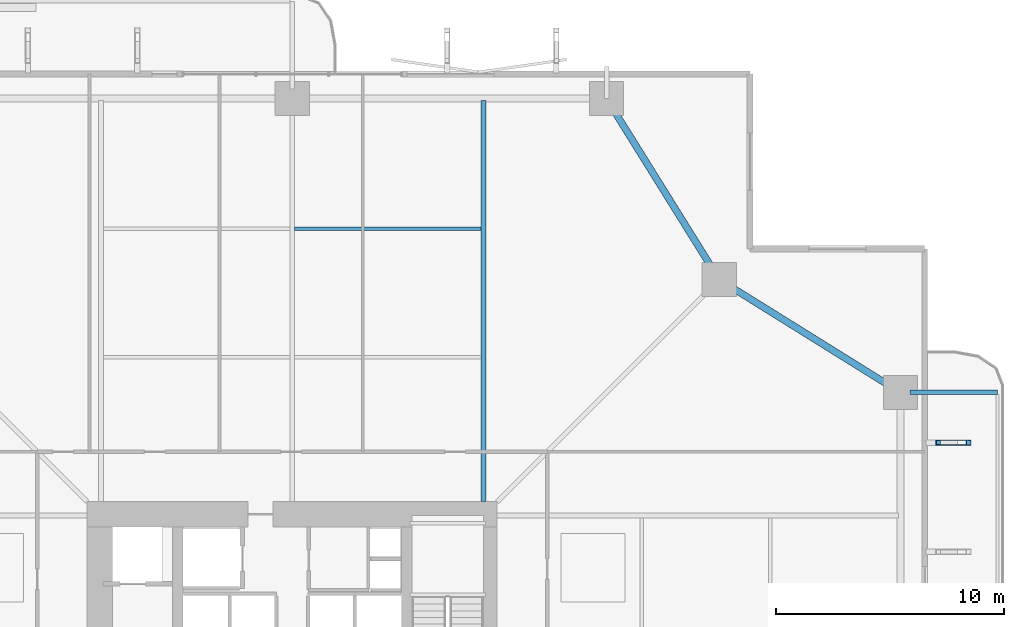
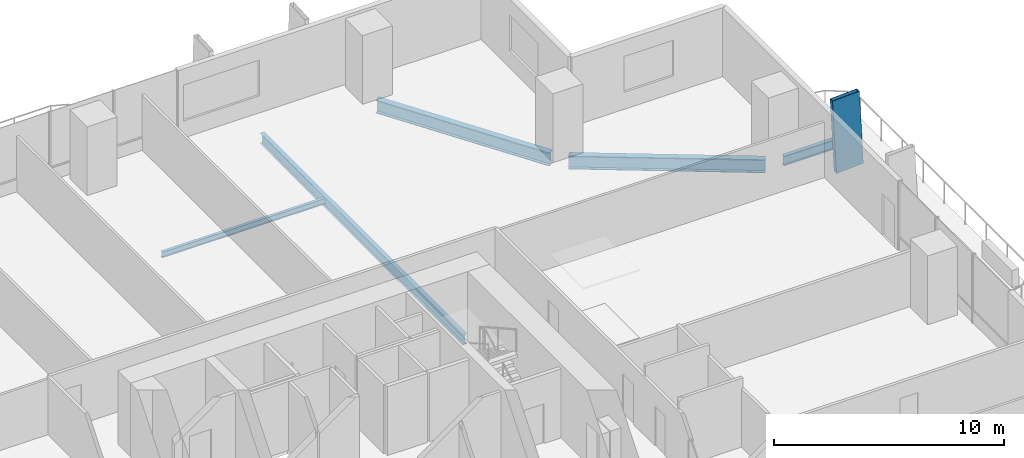
# One storey, part 14 of 24: 5 beams, 1 member.
"""IFC4 building model written with IfcOpenShell, lengths in metres."""

from ifc_helpers import new_model, si_unit, direction, frame, origin, origin_2d, place, context, subcontext, project, spatial, hollow_rectangle, i_section, extrude, material, material_profile, profile_set, type_object, element, save


model = new_model("IFC4")

# Units and contexts
model_context = context("Model", 3, precision=1e-05, world=origin(), true_north=direction((0.0, 1.0)))
body_context = subcontext(model_context, "Body", "Model", "MODEL_VIEW")
ifc_project = project(units=[si_unit("LENGTHUNIT", "METRE"), si_unit("AREAUNIT", "SQUARE_METRE"), si_unit("VOLUMEUNIT", "CUBIC_METRE"), si_unit("PLANEANGLEUNIT", "RADIAN"), si_unit("MASSUNIT", "GRAM", prefix="KILO")], contexts=[model_context])

# Site, building, storey
site_placement = place(None, origin())
site = spatial("IfcSite", under=ifc_project, at=site_placement, CompositionType="ELEMENT")
building_placement = place(site_placement, origin())
building = spatial("IfcBuilding", under=site, at=building_placement, Name="Belovzor Exchange Tower", CompositionType="ELEMENT")
storey_placement = place(building_placement, frame((0.0, 0.0, 72.89990234375)))
storey = spatial("IfcBuildingStorey", under=building, at=storey_placement, Name="L17", CompositionType="ELEMENT", Elevation=72.89990234375)

# Member
ifc_material_1 = material(Name="Extruded Architectural Terracotta on Steel S355 Carrier", Category="masonry")
ifc_material_profile_1 = material_profile(ifc_material_1, hollow_rectangle(XDim=0.219970703125, YDim=1.35009765625, WallThickness=0.013916015625, at=origin_2d()))
ifc_profile_set_1 = profile_set([ifc_material_profile_1], Name="Extruded Architectural Terracotta on Steel S355 Carrier")
member_type = type_object("IfcMemberType", Name="Base Arc Sweeping Terracotta Pylon Fin 1450", PredefinedType="USERDEFINED", material=ifc_profile_set_1)
member_placement = place(storey_placement, frame((57.927001953125, 40.39990234375, -0.25), z_axis=(-0.051449765599, 0.0, 0.998675583771), x_axis=(0.0, -1.0, 0.0)))
element("IfcMember", 1, at=member_placement, inside=storey, type_object=member_type, Name="FIN-TC145 Terracotta Facade Fin L17 E4", ObjectType="FIN", PredefinedType="USERDEFINED", context=body_context, shape_type="SweptSolid", body=[
    extrude(hollow_rectangle(XDim=0.219970703125, YDim=1.35009765625, WallThickness=0.013916015625, at=origin_2d()), origin(), (0.0, 0.0, 1.0), 3.9052734375),
])

# Beams
ifc_material_2 = material(Name="Steel S355", Category="steel")
ifc_material_profile_2 = material_profile(ifc_material_2, i_section(OverallWidth=0.199951171875, OverallDepth=0.5, WebThickness=0.01025390625, FlangeThickness=0.01611328125, at=origin_2d()))
ifc_profile_set_2 = profile_set([ifc_material_profile_2], Name="Steel S355")
beam_type_1 = type_object("IfcBeamType", Name="Planted Balcony Cantilever Beam IPE 500", PredefinedType="BEAM", material=ifc_profile_set_2)
beam_1_placement = place(storey_placement, frame((55.9130859375, 42.60009765625, -0.5), z_axis=(1.0, 0.0, 0.0), x_axis=(0.0, 1.0, 0.0)))
element("IfcBeam", 2, at=beam_1_placement, inside=storey, type_object=beam_type_1, Name="BC-500 Planted Balcony Cantilever Beam IPE 500", PredefinedType="BEAM", context=body_context, shape_type="SweptSolid", body=[
    extrude(i_section(OverallWidth=0.199951171875, OverallDepth=0.5, WebThickness=0.01025390625, FlangeThickness=0.01611328125, at=origin_2d()), origin(), (0.0, 0.0, 1.0), 3.849853515625),
])
ifc_material_3 = material(Name="Steel S355", Category="steel")
ifc_material_profile_3 = material_profile(ifc_material_3, i_section(OverallWidth=0.14990234375, OverallDepth=0.300048828125, WebThickness=0.007080078125, FlangeThickness=0.0107421875, at=origin_2d()))
ifc_profile_set_3 = profile_set([ifc_material_profile_3], Name="Steel S355")
beam_type_2 = type_object("IfcBeamType", Name="Secondary Trim Floor Joist IPE 300", PredefinedType="BEAM", material=ifc_profile_set_3)
beam_2_placement = place(storey_placement, frame((28.905029296875, 49.784912109375, -0.39990234375), z_axis=(1.0, 0.0, 0.0), x_axis=(0.0, 1.0, 0.0)))
element("IfcBeam", 3, at=beam_2_placement, inside=storey, type_object=beam_type_2, Name="FJ-300 Secondary Trim Floor Joist IPE 300", PredefinedType="BEAM", context=body_context, shape_type="SweptSolid", body=[
    extrude(i_section(OverallWidth=0.14990234375, OverallDepth=0.300048828125, WebThickness=0.007080078125, FlangeThickness=0.0107421875, at=origin_2d()), origin(), (0.0, 0.0, 1.0), 8.18994140625),
])
ifc_material_4 = material(Name="Steel S355", Category="steel")
ifc_material_profile_4 = material_profile(ifc_material_4, i_section(OverallWidth=0.300048828125, OverallDepth=0.699951171875, WebThickness=0.01708984375, FlangeThickness=0.031982421875, at=origin_2d()))
ifc_profile_set_4 = profile_set([ifc_material_profile_4], Name="Steel S355")
beam_type_3 = type_object("IfcBeamType", Name="Zone 1 Primary Perimeter Girder HEB 700", PredefinedType="BEAM", material=ifc_profile_set_4)
for number, where, z_axis, x_axis, name in (
    (4, (55.14990234375, 42.818115234375, -0.599853515625), (-0.848909251292, 0.528538629686, 0.0), (-0.528538629686, -0.848909251292, 0.0), "FG-Z1 Zone 1 Primary Perimeter Girder HEB 700"),
    (5, (47.33203125, 47.89990234375, -0.599853515625), (-0.528538629686, 0.848909251292, 0.0), (-0.848909251292, -0.528538629686, 0.0), "FG-Z1 Zone 1 Primary Perimeter Girder HEB 700"),
):
    element("IfcBeam", number, at=place(storey_placement, frame(where, z_axis=z_axis, x_axis=x_axis)), inside=storey, type_object=beam_type_3, Name=name, PredefinedType="BEAM", context=body_context, shape_type="SweptSolid", body=[
        extrude(i_section(OverallWidth=0.300048828125, OverallDepth=0.699951171875, WebThickness=0.01708984375, FlangeThickness=0.031982421875, at=origin_2d()), origin(), (0.0, 0.0, 1.0), 8.540283203125),
    ])
ifc_material_5 = material(Name="Steel S355", Category="steel")
ifc_material_profile_5 = material_profile(ifc_material_5, i_section(OverallWidth=0.2099609375, OverallDepth=0.550048828125, WebThickness=0.010986328125, FlangeThickness=0.01708984375, at=origin_2d()))
ifc_profile_set_5 = profile_set([ifc_material_profile_5], Name="Steel S355")
beam_type_4 = type_object("IfcBeamType", Name="Zone 1 Radial Composite Floor Beam IPE 550", PredefinedType="BEAM", material=ifc_profile_set_5)
beam_3_placement = place(storey_placement, frame((37.199951171875, 37.800048828125, -0.52490234375), z_axis=(0.0, 1.0, 0.0), x_axis=(-1.0, 0.0, 0.0)))
element("IfcBeam", 6, at=beam_3_placement, inside=storey, type_object=beam_type_4, Name="FB-550 Zone 1 Radial Composite Floor Beam IPE 550", PredefinedType="BEAM", context=body_context, shape_type="SweptSolid", body=[
    extrude(i_section(OverallWidth=0.2099609375, OverallDepth=0.550048828125, WebThickness=0.010986328125, FlangeThickness=0.01708984375, at=origin_2d()), origin(), (0.0, 0.0, 1.0), 17.625),
])

save(model, "model.ifc")
